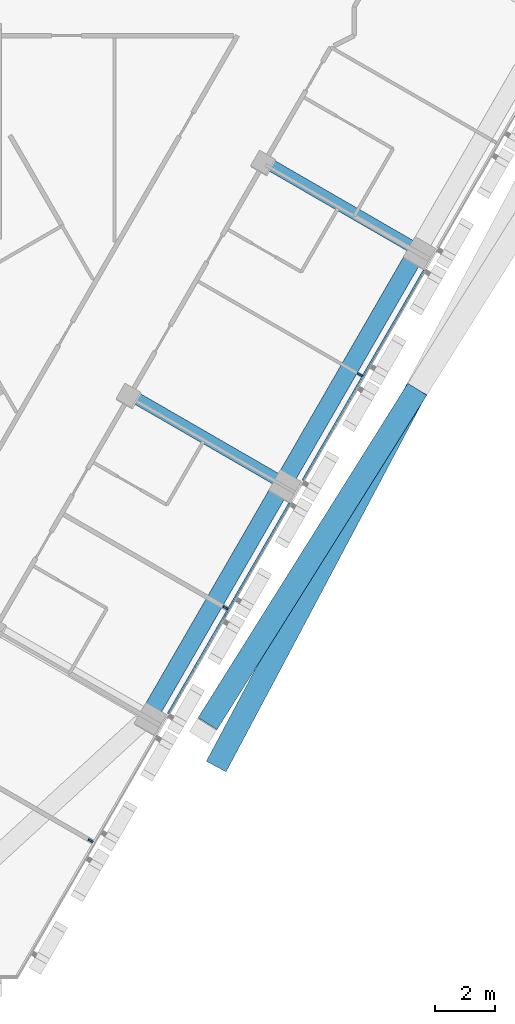
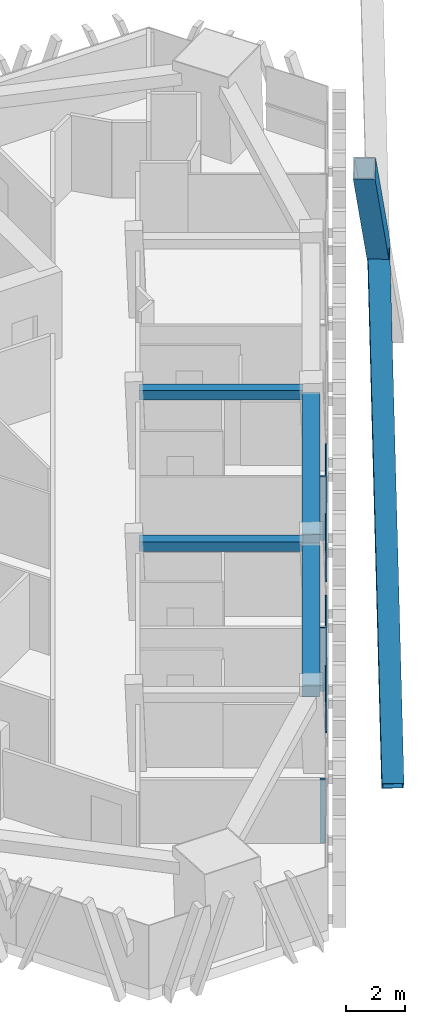
# One storey, part 5 of 18: 7 members, 4 beams, 1 element without a shape of its own.
"""IFC4 building model written with IfcOpenShell, lengths in metres."""

import ifcopenshell
import ifcopenshell.guid

model = None  # the IFC model being written
_history = None  # IfcOwnerHistory: only IFC2X3 demands one
_inside = {}  # id of a spatial element -> (the spatial element, [elements in it])
_under = {}  # id of a project, library or spatial element -> (it, [spatial elements below it])
_declared = {}  # id of a project -> (the project, [libraries it declares])
_typed = {}  # id of a type object -> (the type object, [elements of that type])
_made_of = {}  # id of a material, layer set ... -> (it, [elements and type objects made of it])


def new_model(schema):
    """Start an empty IFC model of exactly this schema.

    Asked for "IFC4X3", IfcOpenShell would pick the latest addendum, in which some entities
    have other attributes; the version numbers below select the first issue.
    IFC2X3 requires an IfcOwnerHistory on every rooted entity: one is made here for all.
    """
    global model, _history
    if schema == "IFC4X3":
        model = ifcopenshell.file(schema_version=(4, 3, 0, 0))
    else:
        model = ifcopenshell.file(schema=schema)
    _inside.clear()
    _under.clear()
    _declared.clear()
    _typed.clear()
    _made_of.clear()
    _history = None
    if model.schema == "IFC2X3":
        org = make("IfcOrganization", Name="unknown")
        user = make(
            "IfcPersonAndOrganization",
            ThePerson=make("IfcPerson", FamilyName="unknown"),
            TheOrganization=org,
        )
        app = make(
            "IfcApplication",
            ApplicationDeveloper=org,
            Version="unknown",
            ApplicationFullName="unknown",
            ApplicationIdentifier="unknown",
        )
        _history = make(
            "IfcOwnerHistory",
            OwningUser=user,
            OwningApplication=app,
            ChangeAction="ADDED",
            CreationDate=0,
        )
    return model


def make(cls, **values):
    """One entity of the class cls with the attributes given. An attribute that is None is left unset."""
    return model.create_entity(
        cls, **{name: value for name, value in values.items() if value is not None}
    )


def rooted(cls, **values):
    """An entity with a GlobalId (a new one), such as an element, a storey or a relation."""
    return make(cls, GlobalId=ifcopenshell.guid.new(), OwnerHistory=_history, **values)


def si_unit(unit_type, name, prefix=None):
    """IfcSIUnit, for example si_unit("LENGTHUNIT", "METRE", prefix="MILLI")."""
    return make("IfcSIUnit", UnitType=unit_type, Prefix=prefix, Name=name)


def assignment(units):
    """IfcUnitAssignment: the units of a project."""
    return None if units is None else make("IfcUnitAssignment", Units=units)


def point(xyz):
    """IfcCartesianPoint."""
    return None if xyz is None else make("IfcCartesianPoint", Coordinates=xyz)


def direction(xyz):
    """IfcDirection."""
    return None if xyz is None else make("IfcDirection", DirectionRatios=xyz)


def frame(location, z_axis=None, x_axis=None):
    """IfcAxis2Placement3D, a coordinate frame: its origin and axes. An axis left out is left unset."""
    return make(
        "IfcAxis2Placement3D",
        Location=point(location),
        Axis=direction(z_axis),
        RefDirection=direction(x_axis),
    )


def frame_2d(location, x_axis=None):
    """IfcAxis2Placement2D, a coordinate frame in the plane: its origin and x axis."""
    return make(
        "IfcAxis2Placement2D", Location=point(location), RefDirection=direction(x_axis)
    )


def origin():
    """The frame at (0, 0, 0) with its axes left unset."""
    return frame((0.0, 0.0, 0.0))


def origin_2d():
    """The frame at (0, 0) in the plane with its x axis left unset."""
    return frame_2d((0.0, 0.0))


def place(relative_to, where):
    """IfcLocalPlacement: puts the frame where relative to a parent placement (None: the world)."""
    return make(
        "IfcLocalPlacement", PlacementRelTo=relative_to, RelativePlacement=where
    )


def context(
    kind, dimensions, precision=None, world=None, true_north=None, identifier=None
):
    """IfcGeometricRepresentationContext, for example the 3D "Model" context."""
    return make(
        "IfcGeometricRepresentationContext",
        ContextIdentifier=identifier,
        ContextType=kind,
        CoordinateSpaceDimension=dimensions,
        Precision=precision,
        WorldCoordinateSystem=world,
        TrueNorth=true_north,
    )


def subcontext(parent, identifier, kind, view, scale=None):
    """IfcGeometricRepresentationSubContext, for example "Body" below "Model"."""
    return make(
        "IfcGeometricRepresentationSubContext",
        ContextIdentifier=identifier,
        ContextType=kind,
        ParentContext=parent,
        TargetScale=scale,
        TargetView=view,
    )


def project(units=None, contexts=None):
    """IfcProject with its units and contexts."""
    return rooted(
        "IfcProject",
        Name="project",
        RepresentationContexts=contexts,
        UnitsInContext=assignment(units),
    )


def spatial(cls, under=None, at=None, **own):
    """A site, building, storey or space (cls), placed at a placement, below another one or the project."""
    s = rooted(cls, ObjectPlacement=at, **own)
    if under is not None:
        _under.setdefault(under.id(), (under, []))[1].append(s)
    return s


def profile(cls, at=None, kind="AREA", **sizes):
    """A parametric profile (cls). Its sizes go by their IFC names, for example OverallWidth=200.0."""
    return make(cls, ProfileType=kind, Position=at, **sizes)


def rectangle(**sizes):
    """IfcRectangleProfileDef."""
    return profile("IfcRectangleProfileDef", **sizes)


def hollow_rectangle(**sizes):
    """IfcRectangleHollowProfileDef."""
    return profile("IfcRectangleHollowProfileDef", **sizes)


def extrude(swept, where, along, depth):
    """IfcExtrudedAreaSolid: the profile swept, set in the frame where, extruded along a direction by depth."""
    return make(
        "IfcExtrudedAreaSolid",
        SweptArea=swept,
        Position=where,
        ExtrudedDirection=direction(along),
        Depth=depth,
    )


def shape(context_of_items, identifier, shape_type, items):
    """IfcShapeRepresentation: the items that make up one representation, for example the "Body"."""
    return make(
        "IfcShapeRepresentation",
        ContextOfItems=context_of_items,
        RepresentationIdentifier=identifier,
        RepresentationType=shape_type,
        Items=items,
    )


def material(Name=None, Category=None):
    """IfcMaterial."""
    return make("IfcMaterial", Name=Name, Category=Category)


def layer(
    of_material, thickness, ventilated=None, Name=None, Category=None, Priority=None
):
    """IfcMaterialLayer: one layer of a wall or slab, of a material (None: an air gap)."""
    return make(
        "IfcMaterialLayer",
        Material=of_material,
        LayerThickness=thickness,
        IsVentilated=ventilated,
        Name=Name,
        Category=Category,
        Priority=Priority,
    )


def layer_set(layers, Name=None):
    """IfcMaterialLayerSet."""
    return make("IfcMaterialLayerSet", MaterialLayers=layers, LayerSetName=Name)


def material_profile(
    of_material, cross_section, Name=None, Category=None, Priority=None
):
    """IfcMaterialProfile: a cross section and its material."""
    return make(
        "IfcMaterialProfile",
        Name=Name,
        Material=of_material,
        Profile=cross_section,
        Priority=Priority,
        Category=Category,
    )


def profile_set(profiles, Name=None, composite=None):
    """IfcMaterialProfileSet."""
    return make(
        "IfcMaterialProfileSet",
        Name=Name,
        MaterialProfiles=profiles,
        CompositeProfile=composite,
    )


def made_of(thing, what):
    """Note that an element or type object is made of a material, layer set ...; save() writes the relation."""
    if what is not None:
        _made_of.setdefault(what.id(), (what, []))[1].append(thing)
    return thing


def type_object(cls, material=None, **own):
    """A type object (cls), such as IfcWallType, which elements share."""
    return made_of(rooted(cls, **own), material)


def element(
    cls,
    number,
    at=None,
    inside=None,
    cuts=None,
    type_object=None,
    material=None,
    context=None,
    identifier="Body",
    shape_type=None,
    held_by="IfcProductDefinitionShape",
    body=None,
    shapes=None,
    **own,
):
    """One element of the class cls, such as IfcWall. Its Tag is "e" and its number.

    at: its placement. inside: the storey or other place that contains it. cuts: it is an
    opening in that element (IfcRelVoidsElement). A single representation is given by context,
    identifier, shape_type and body (its items); several are given by shapes. held_by: the class
    of the entity that holds the representations. save() writes the other relations.
    """
    e = rooted(cls, Tag="e%d" % number, ObjectPlacement=at, **own)
    if body is not None:
        shapes = [shape(context, identifier, shape_type, body)]
    if shapes is not None:
        e.Representation = make(held_by, Representations=shapes)
    if inside is not None:
        _inside.setdefault(inside.id(), (inside, []))[1].append(e)
    if cuts is not None:
        rooted(
            "IfcRelVoidsElement", RelatingBuildingElement=cuts, RelatedOpeningElement=e
        )
    if type_object is not None:
        _typed.setdefault(type_object.id(), (type_object, []))[1].append(e)
    return made_of(e, material)


def aggregate(whole, parts):
    """IfcRelAggregates: a whole, such as a stair, and the parts it consists of."""
    return rooted("IfcRelAggregates", RelatingObject=whole, RelatedObjects=parts)


def save(model, path):
    """Write the relations noted so far, then the file.

    IfcRelAggregates (storeys below a building ...), IfcRelContainedInSpatialStructure (elements
    in a storey), IfcRelDefinesByType, IfcRelAssociatesMaterial and IfcRelDeclares: one each for
    every whole, place, type object, material and project.
    """
    for whole, parts in _under.values():
        aggregate(whole, parts)
    for where, things in _inside.values():
        rooted(
            "IfcRelContainedInSpatialStructure",
            RelatedElements=things,
            RelatingStructure=where,
        )
    for kind, things in _typed.values():
        rooted("IfcRelDefinesByType", RelatedObjects=things, RelatingType=kind)
    for what, things in _made_of.values():
        rooted("IfcRelAssociatesMaterial", RelatedObjects=things, RelatingMaterial=what)
    for by, libraries in _declared.values():
        rooted("IfcRelDeclares", RelatingContext=by, RelatedDefinitions=libraries)
    model.write(path)


model = new_model("IFC4")

# Units and contexts
model_context = context("Model", 3, precision=1e-05, world=origin(), true_north=direction((0.0, 1.0)))
body_context = subcontext(model_context, "Body", "Model", "MODEL_VIEW")
ifc_project = project(units=[si_unit("LENGTHUNIT", "METRE"), si_unit("AREAUNIT", "SQUARE_METRE"), si_unit("VOLUMEUNIT", "CUBIC_METRE"), si_unit("PLANEANGLEUNIT", "RADIAN"), si_unit("MASSUNIT", "GRAM", prefix="KILO")], contexts=[model_context])

# Site, building, storey
site_placement = place(None, origin())
site = spatial("IfcSite", under=ifc_project, at=site_placement, CompositionType="ELEMENT")
building_placement = place(site_placement, origin())
building = spatial("IfcBuilding", under=site, at=building_placement, Name="Altiplano Prism Tower", CompositionType="ELEMENT")
storey_placement = place(building_placement, frame((0.0, 0.0, 163.800048828125)))
storey = spatial("IfcBuildingStorey", under=building, at=storey_placement, Name="L42", CompositionType="ELEMENT", Elevation=163.800048828125)

# Curtain wall, members
ifc_material_1 = material(Name="Aluminium and glass", Category="aluminium")
ifc_layer = layer(ifc_material_1, 0.280029296875)
ifc_layer_set = layer_set([ifc_layer], Name="Aluminium and glass")
curtain_wall_type = type_object("IfcCurtainWallType", Name="CW1 typical co-living unitised curtain wall", PredefinedType="NOTDEFINED", material=ifc_layer_set)
curtain_wall_placement = place(storey_placement, origin())
curtain_wall = element("IfcCurtainWall", 1, at=curtain_wall_placement, inside=storey, type_object=curtain_wall_type, Name="CW1 curtain wall south-east face L42", PredefinedType="NOTDEFINED")
ifc_material_2 = material(Name="Aluminium", Category="aluminium")
ifc_material_profile_1 = material_profile(ifc_material_2, rectangle(XDim=0.179931640625, YDim=0.06494140625, at=origin_2d()), Name="CW1 mullion 65 x 180")
ifc_profile_set_1 = profile_set([ifc_material_profile_1], Name="Aluminium")
member_type_1 = type_object("IfcMemberType", Name="CW1 mullion 65 x 180", PredefinedType="MULLION", material=ifc_profile_set_1)
member_1_placement = place(storey_placement, frame((90.982421875, 63.271240234375, 0.0), z_axis=(0.0, 0.0, 1.0), x_axis=(-0.866025400931, 0.500000004943, 0.0)))
member_1 = element("IfcMember", 2, at=member_1_placement, type_object=member_type_1, Name="CW1 mullion", PredefinedType="MULLION", context=body_context, shape_type="SweptSolid", body=[
    extrude(rectangle(XDim=0.179931640625, YDim=0.06494140625, at=origin_2d()), origin(), (0.0, 0.0, 1.0), 2.64990234375),
])
member_2_placement = place(storey_placement, frame((95.482421875, 71.0654296875, 0.0), z_axis=(0.0, 0.0, 1.0), x_axis=(-0.866025400931, 0.500000004943, 0.0)))
member_2 = element("IfcMember", 3, at=member_2_placement, type_object=member_type_1, Name="CW1 mullion", PredefinedType="MULLION", context=body_context, shape_type="SweptSolid", body=[
    extrude(rectangle(XDim=0.179931640625, YDim=0.06494140625, at=origin_2d()), origin(), (0.0, 0.0, 1.0), 2.64990234375),
])
member_3_placement = place(storey_placement, frame((99.982421875, 78.85986328125, 0.0), z_axis=(0.0, 0.0, 1.0), x_axis=(-0.866025400931, 0.500000004943, 0.0)))
member_3 = element("IfcMember", 4, at=member_3_placement, type_object=member_type_1, Name="CW1 mullion", PredefinedType="MULLION", context=body_context, shape_type="SweptSolid", body=[
    extrude(rectangle(XDim=0.179931640625, YDim=0.06494140625, at=origin_2d()), origin(), (0.0, 0.0, 1.0), 2.64990234375),
])
ifc_material_profile_2 = material_profile(ifc_material_2, rectangle(XDim=0.06005859375, YDim=0.080078125, at=origin_2d()), Name="CW1 transom 80 x 60")
ifc_profile_set_2 = profile_set([ifc_material_profile_2], Name="Aluminium")
member_type_2 = type_object("IfcMemberType", Name="CW1 transom 80 x 60", PredefinedType="USERDEFINED", material=ifc_profile_set_2)
member_4_placement = place(storey_placement, frame((93.576171875, 67.523681640625, 1.099853515625), z_axis=(0.499990533176, 0.866030869389, 0.0), x_axis=(-0.866030869389, 0.499990533176, 0.0)))
member_4 = element("IfcMember", 5, at=member_4_placement, type_object=member_type_2, Name="CW1 transom", ObjectType="TRANSOM", PredefinedType="USERDEFINED", context=body_context, shape_type="SweptSolid", body=[
    extrude(rectangle(XDim=0.06005859375, YDim=0.080078125, at=origin_2d()), origin(), (0.0, 0.0, 1.0), 8.119873046875),
])
member_5_placement = place(storey_placement, frame((98.076171875, 75.31787109375, 1.099853515625), z_axis=(0.499990533176, 0.866030869389, 0.0), x_axis=(-0.866030869389, 0.499990533176, 0.0)))
member_5 = element("IfcMember", 6, at=member_5_placement, type_object=member_type_2, Name="CW1 transom", ObjectType="TRANSOM", PredefinedType="USERDEFINED", context=body_context, shape_type="SweptSolid", body=[
    extrude(rectangle(XDim=0.06005859375, YDim=0.080078125, at=origin_2d()), origin(), (0.0, 0.0, 1.0), 8.119873046875),
])
aggregate(curtain_wall, [member_1, member_2, member_4, member_3, member_5])

# Beams
ifc_material_3 = material(Name="Concrete C60/75", Category="concrete")
ifc_material_profile_3 = material_profile(ifc_material_3, rectangle(XDim=0.60009765625, YDim=0.5, at=origin_2d()), Name="Edge beam 600x500")
ifc_profile_set_3 = profile_set([ifc_material_profile_3], Name="Concrete C60/75")
beam_type_1 = type_object("IfcBeamType", Name="Edge beam 600x500", PredefinedType="SPANDREL", material=ifc_profile_set_3)
for number, where, z_axis, x_axis, name in (
    (7, (93.067138671875, 67.679443359375, 2.89990234375), (0.499993714791, 0.866029032521, 0.0), (-0.866029032521, 0.499993714791, 0.0), "Edge beam P21-P22 L43"),
    (8, (97.567138671875, 75.4736328125, 2.89990234375), (0.499993714791, 0.866029032521, 0.0), (-0.866029032521, 0.499993714791, 0.0), "Edge beam P22-P23 L43"),
):
    element("IfcBeam", number, at=place(storey_placement, frame(where, z_axis=z_axis, x_axis=x_axis)), inside=storey, type_object=beam_type_1, Name=name, PredefinedType="SPANDREL", context=body_context, shape_type="SweptSolid", body=[
        extrude(rectangle(XDim=0.60009765625, YDim=0.5, at=origin_2d()), origin(), (0.0, 0.0, 1.0), 8.43994140625),
    ])

# Members
ifc_material_4 = material(Name="Steel S355", Category="steel")
ifc_material_profile_4 = material_profile(ifc_material_4, hollow_rectangle(XDim=0.75, YDim=0.75, WallThickness=0.0400390625, at=origin_2d()), Name="Mega brace Box 750x750x40")
ifc_profile_set_4 = profile_set([ifc_material_profile_4], Name="Steel S355")
member_type_3 = type_object("IfcMemberType", Name="Mega brace Box 750x750x40", PredefinedType="BRACE", material=ifc_profile_set_4)
member_6_placement = place(storey_placement, frame((95.30224609375, 65.973388671875, -0.800048828125), z_axis=(0.34545029566, 0.650125959237, 0.6767572167), x_axis=(-0.88307582689, 0.46923031015, 0.0)))
element("IfcMember", 9, at=member_6_placement, inside=storey, type_object=member_type_3, Name="Mega brace 4.2.1", PredefinedType="BRACE", context=body_context, shape_type="SweptSolid", body=[
    extrude(hollow_rectangle(XDim=0.75, YDim=0.75, WallThickness=0.0400390625, at=origin_2d()), origin(), (0.0, 0.0, 1.0), 18.72900390625),
])
member_7_placement = place(storey_placement, frame((101.772216796875, 78.149658203125, 11.875), z_axis=(-0.383714251039, -0.611669790193, 0.691826164087), x_axis=(0.847112872125, -0.531413004997, 0.0)))
element("IfcMember", 10, at=member_7_placement, inside=storey, type_object=member_type_3, Name="Mega brace 4.2.4", PredefinedType="BRACE", context=body_context, shape_type="SweptSolid", body=[
    extrude(hollow_rectangle(XDim=0.75, YDim=0.75, WallThickness=0.0400390625, at=origin_2d()), origin(), (0.0, 0.0, 1.0), 18.281005859375),
])

# Beams
ifc_material_profile_5 = material_profile(ifc_material_3, rectangle(XDim=0.39990234375, YDim=0.39990234375, at=origin_2d()), Name="Tie beam 400x400")
ifc_profile_set_5 = profile_set([ifc_material_profile_5], Name="Concrete C60/75")
beam_type_2 = type_object("IfcBeamType", Name="Tie beam 400x400", PredefinedType="BEAM", material=ifc_profile_set_5)
beam_1_placement = place(storey_placement, frame((92.34375, 78.166259765625, 2.949951171875), z_axis=(0.866011758658, -0.500023633308, 0.0), x_axis=(0.500023633308, 0.866011758658, 0.0)))
element("IfcBeam", 11, at=beam_1_placement, inside=storey, type_object=beam_type_2, Name="Tie beam I22 L43", PredefinedType="BEAM", context=body_context, shape_type="SweptSolid", body=[
    extrude(rectangle(XDim=0.39990234375, YDim=0.39990234375, at=origin_2d()), origin(), (0.0, 0.0, 1.0), 5.590087890625),
])
beam_2_placement = place(storey_placement, frame((96.84375, 85.96044921875, 2.949951171875), z_axis=(0.866030670444, -0.499990877767, 0.0), x_axis=(0.499990877767, 0.866030670444, 0.0)))
element("IfcBeam", 12, at=beam_2_placement, inside=storey, type_object=beam_type_2, Name="Tie beam I23 L43", PredefinedType="BEAM", context=body_context, shape_type="SweptSolid", body=[
    extrude(rectangle(XDim=0.39990234375, YDim=0.39990234375, at=origin_2d()), origin(), (0.0, 0.0, 1.0), 5.58984375),
])

save(model, "model.ifc")
